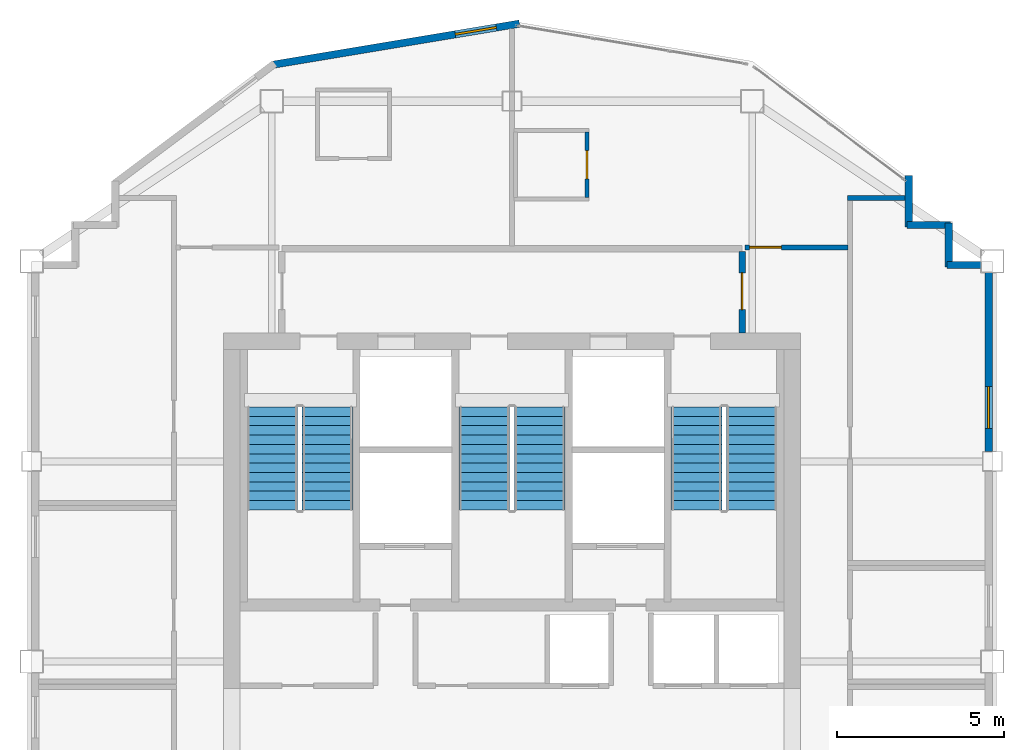
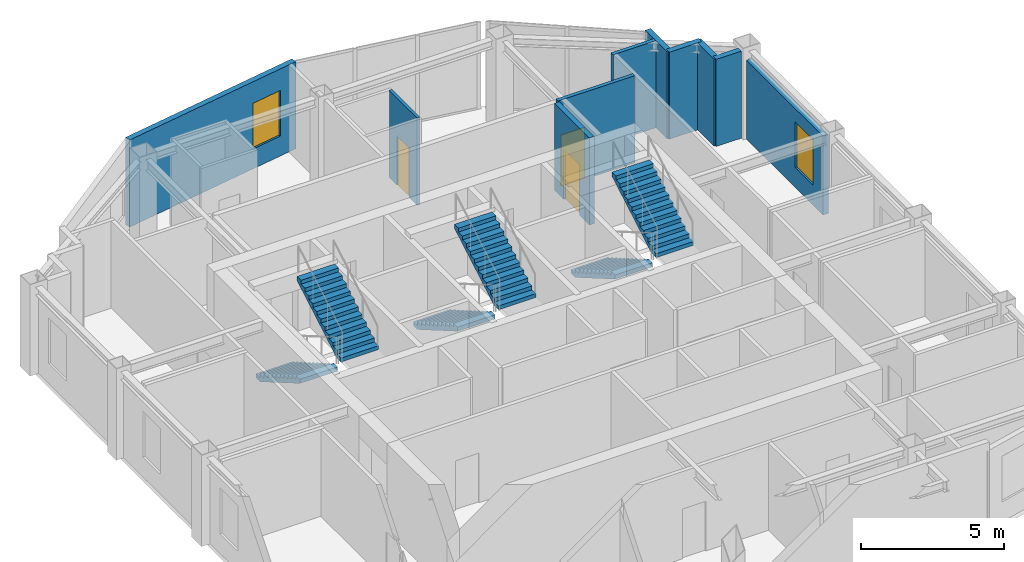
# One storey, part 7 of 8: 10 walls, 6 stair flights, 3 doors, 2 windows, 5 openings, 3 elements without a shape of their own.
"""IFC4 building model written with IfcOpenShell, lengths in metres."""

import ifcopenshell
import ifcopenshell.guid

model = None  # the IFC model being written
_history = None  # IfcOwnerHistory: only IFC2X3 demands one
_inside = {}  # id of a spatial element -> (the spatial element, [elements in it])
_under = {}  # id of a project, library or spatial element -> (it, [spatial elements below it])
_declared = {}  # id of a project -> (the project, [libraries it declares])
_typed = {}  # id of a type object -> (the type object, [elements of that type])
_made_of = {}  # id of a material, layer set ... -> (it, [elements and type objects made of it])


def new_model(schema):
    """Start an empty IFC model of exactly this schema.

    Asked for "IFC4X3", IfcOpenShell would pick the latest addendum, in which some entities
    have other attributes; the version numbers below select the first issue.
    IFC2X3 requires an IfcOwnerHistory on every rooted entity: one is made here for all.
    """
    global model, _history
    if schema == "IFC4X3":
        model = ifcopenshell.file(schema_version=(4, 3, 0, 0))
    else:
        model = ifcopenshell.file(schema=schema)
    _inside.clear()
    _under.clear()
    _declared.clear()
    _typed.clear()
    _made_of.clear()
    _history = None
    if model.schema == "IFC2X3":
        org = make("IfcOrganization", Name="unknown")
        user = make(
            "IfcPersonAndOrganization",
            ThePerson=make("IfcPerson", FamilyName="unknown"),
            TheOrganization=org,
        )
        app = make(
            "IfcApplication",
            ApplicationDeveloper=org,
            Version="unknown",
            ApplicationFullName="unknown",
            ApplicationIdentifier="unknown",
        )
        _history = make(
            "IfcOwnerHistory",
            OwningUser=user,
            OwningApplication=app,
            ChangeAction="ADDED",
            CreationDate=0,
        )
    return model


def make(cls, **values):
    """One entity of the class cls with the attributes given. An attribute that is None is left unset."""
    return model.create_entity(
        cls, **{name: value for name, value in values.items() if value is not None}
    )


def rooted(cls, **values):
    """An entity with a GlobalId (a new one), such as an element, a storey or a relation."""
    return make(cls, GlobalId=ifcopenshell.guid.new(), OwnerHistory=_history, **values)


def si_unit(unit_type, name, prefix=None):
    """IfcSIUnit, for example si_unit("LENGTHUNIT", "METRE", prefix="MILLI")."""
    return make("IfcSIUnit", UnitType=unit_type, Prefix=prefix, Name=name)


def assignment(units):
    """IfcUnitAssignment: the units of a project."""
    return None if units is None else make("IfcUnitAssignment", Units=units)


def point(xyz):
    """IfcCartesianPoint."""
    return None if xyz is None else make("IfcCartesianPoint", Coordinates=xyz)


def direction(xyz):
    """IfcDirection."""
    return None if xyz is None else make("IfcDirection", DirectionRatios=xyz)


def frame(location, z_axis=None, x_axis=None):
    """IfcAxis2Placement3D, a coordinate frame: its origin and axes. An axis left out is left unset."""
    return make(
        "IfcAxis2Placement3D",
        Location=point(location),
        Axis=direction(z_axis),
        RefDirection=direction(x_axis),
    )


def frame_2d(location, x_axis=None):
    """IfcAxis2Placement2D, a coordinate frame in the plane: its origin and x axis."""
    return make(
        "IfcAxis2Placement2D", Location=point(location), RefDirection=direction(x_axis)
    )


def origin():
    """The frame at (0, 0, 0) with its axes left unset."""
    return frame((0.0, 0.0, 0.0))


def place(relative_to, where):
    """IfcLocalPlacement: puts the frame where relative to a parent placement (None: the world)."""
    return make(
        "IfcLocalPlacement", PlacementRelTo=relative_to, RelativePlacement=where
    )


def context(
    kind, dimensions, precision=None, world=None, true_north=None, identifier=None
):
    """IfcGeometricRepresentationContext, for example the 3D "Model" context."""
    return make(
        "IfcGeometricRepresentationContext",
        ContextIdentifier=identifier,
        ContextType=kind,
        CoordinateSpaceDimension=dimensions,
        Precision=precision,
        WorldCoordinateSystem=world,
        TrueNorth=true_north,
    )


def subcontext(parent, identifier, kind, view, scale=None):
    """IfcGeometricRepresentationSubContext, for example "Body" below "Model"."""
    return make(
        "IfcGeometricRepresentationSubContext",
        ContextIdentifier=identifier,
        ContextType=kind,
        ParentContext=parent,
        TargetScale=scale,
        TargetView=view,
    )


def project(units=None, contexts=None):
    """IfcProject with its units and contexts."""
    return rooted(
        "IfcProject",
        Name="project",
        RepresentationContexts=contexts,
        UnitsInContext=assignment(units),
    )


def spatial(cls, under=None, at=None, **own):
    """A site, building, storey or space (cls), placed at a placement, below another one or the project."""
    s = rooted(cls, ObjectPlacement=at, **own)
    if under is not None:
        _under.setdefault(under.id(), (under, []))[1].append(s)
    return s


def polyline(points):
    """IfcPolyline through the points."""
    return make("IfcPolyline", Points=[point(p) for p in points])


def profile(cls, at=None, kind="AREA", **sizes):
    """A parametric profile (cls). Its sizes go by their IFC names, for example OverallWidth=200.0."""
    return make(cls, ProfileType=kind, Position=at, **sizes)


def rectangle(**sizes):
    """IfcRectangleProfileDef."""
    return profile("IfcRectangleProfileDef", **sizes)


def outline(outer, holes=None, kind="AREA"):
    """IfcArbitraryClosedProfileDef: a profile drawn as a closed curve; with holes, ...WithVoids."""
    if holes is None:
        return make("IfcArbitraryClosedProfileDef", ProfileType=kind, OuterCurve=outer)
    return make(
        "IfcArbitraryProfileDefWithVoids",
        ProfileType=kind,
        OuterCurve=outer,
        InnerCurves=holes,
    )


def extrude(swept, where, along, depth):
    """IfcExtrudedAreaSolid: the profile swept, set in the frame where, extruded along a direction by depth."""
    return make(
        "IfcExtrudedAreaSolid",
        SweptArea=swept,
        Position=where,
        ExtrudedDirection=direction(along),
        Depth=depth,
    )


def shape(context_of_items, identifier, shape_type, items):
    """IfcShapeRepresentation: the items that make up one representation, for example the "Body"."""
    return make(
        "IfcShapeRepresentation",
        ContextOfItems=context_of_items,
        RepresentationIdentifier=identifier,
        RepresentationType=shape_type,
        Items=items,
    )


def material(Name=None, Category=None):
    """IfcMaterial."""
    return make("IfcMaterial", Name=Name, Category=Category)


def layer(
    of_material, thickness, ventilated=None, Name=None, Category=None, Priority=None
):
    """IfcMaterialLayer: one layer of a wall or slab, of a material (None: an air gap)."""
    return make(
        "IfcMaterialLayer",
        Material=of_material,
        LayerThickness=thickness,
        IsVentilated=ventilated,
        Name=Name,
        Category=Category,
        Priority=Priority,
    )


def layer_set(layers, Name=None):
    """IfcMaterialLayerSet."""
    return make("IfcMaterialLayerSet", MaterialLayers=layers, LayerSetName=Name)


def made_of(thing, what):
    """Note that an element or type object is made of a material, layer set ...; save() writes the relation."""
    if what is not None:
        _made_of.setdefault(what.id(), (what, []))[1].append(thing)
    return thing


def type_object(cls, material=None, **own):
    """A type object (cls), such as IfcWallType, which elements share."""
    return made_of(rooted(cls, **own), material)


def element(
    cls,
    number,
    at=None,
    inside=None,
    cuts=None,
    type_object=None,
    material=None,
    context=None,
    identifier="Body",
    shape_type=None,
    held_by="IfcProductDefinitionShape",
    body=None,
    shapes=None,
    **own,
):
    """One element of the class cls, such as IfcWall. Its Tag is "e" and its number.

    at: its placement. inside: the storey or other place that contains it. cuts: it is an
    opening in that element (IfcRelVoidsElement). A single representation is given by context,
    identifier, shape_type and body (its items); several are given by shapes. held_by: the class
    of the entity that holds the representations. save() writes the other relations.
    """
    e = rooted(cls, Tag="e%d" % number, ObjectPlacement=at, **own)
    if body is not None:
        shapes = [shape(context, identifier, shape_type, body)]
    if shapes is not None:
        e.Representation = make(held_by, Representations=shapes)
    if inside is not None:
        _inside.setdefault(inside.id(), (inside, []))[1].append(e)
    if cuts is not None:
        rooted(
            "IfcRelVoidsElement", RelatingBuildingElement=cuts, RelatedOpeningElement=e
        )
    if type_object is not None:
        _typed.setdefault(type_object.id(), (type_object, []))[1].append(e)
    return made_of(e, material)


def fill(opening, filler):
    """IfcRelFillsElement: the door or window that sits in an opening."""
    return rooted(
        "IfcRelFillsElement",
        RelatingOpeningElement=opening,
        RelatedBuildingElement=filler,
    )


def aggregate(whole, parts):
    """IfcRelAggregates: a whole, such as a stair, and the parts it consists of."""
    return rooted("IfcRelAggregates", RelatingObject=whole, RelatedObjects=parts)


def save(model, path):
    """Write the relations noted so far, then the file.

    IfcRelAggregates (storeys below a building ...), IfcRelContainedInSpatialStructure (elements
    in a storey), IfcRelDefinesByType, IfcRelAssociatesMaterial and IfcRelDeclares: one each for
    every whole, place, type object, material and project.
    """
    for whole, parts in _under.values():
        aggregate(whole, parts)
    for where, things in _inside.values():
        rooted(
            "IfcRelContainedInSpatialStructure",
            RelatedElements=things,
            RelatingStructure=where,
        )
    for kind, things in _typed.values():
        rooted("IfcRelDefinesByType", RelatedObjects=things, RelatingType=kind)
    for what, things in _made_of.values():
        rooted("IfcRelAssociatesMaterial", RelatedObjects=things, RelatingMaterial=what)
    for by, libraries in _declared.values():
        rooted("IfcRelDeclares", RelatingContext=by, RelatedDefinitions=libraries)
    model.write(path)


model = new_model("IFC4")

# Units and contexts
model_context = context("Model", 3, precision=1e-05, world=origin(), true_north=direction((0.0, 1.0)))
body_context = subcontext(model_context, "Body", "Model", "MODEL_VIEW")
ifc_project = project(units=[si_unit("LENGTHUNIT", "METRE"), si_unit("AREAUNIT", "SQUARE_METRE"), si_unit("VOLUMEUNIT", "CUBIC_METRE"), si_unit("PLANEANGLEUNIT", "RADIAN"), si_unit("MASSUNIT", "GRAM", prefix="KILO")], contexts=[model_context])

# Site, building, storey
site_placement = place(None, origin())
site = spatial("IfcSite", under=ifc_project, at=site_placement, CompositionType="ELEMENT")
building_placement = place(site_placement, origin())
building = spatial("IfcBuilding", under=site, at=building_placement, Name="Haolan Belvedere Tower", CompositionType="ELEMENT")
storey_placement = place(building_placement, frame((0.0, 0.0, 301.699951171875)))
storey = spatial("IfcBuildingStorey", under=building, at=storey_placement, Name="L76", CompositionType="ELEMENT", Elevation=301.699951171875)

# Wall, opening, window
ifc_material_1 = material(Name="Precast concrete C40/50", Category="concrete")
ifc_layer_1 = layer(ifc_material_1, 0.219970703125, Name="Precast concrete C40/50")
ifc_layer_set_1 = layer_set([ifc_layer_1], Name="Precast concrete C40/50")
wall_type_1 = type_object("IfcWallType", Name="WL-EXT-220", PredefinedType="SOLIDWALL", material=ifc_layer_set_1)
wall_1_placement = place(storey_placement, frame((52.68994140625, 39.89208984375, 0.0), z_axis=(0.0, 0.0, 1.0), x_axis=(0.0, 1.0, 0.0)))
wall_1 = element("IfcWall", 1, at=wall_1_placement, inside=storey, type_object=wall_type_1, Name="L76 pale-metal exterior spandrel wall 3.4", PredefinedType="SOLIDWALL", context=body_context, shape_type="SweptSolid", body=[
    extrude(rectangle(XDim=5.365966796875, YDim=0.219970703125, at=frame_2d((2.68310546875, 0.0))), origin(), (0.0, 0.0, 1.0), 3.364990234375),
])
opening_1_placement = place(wall_1_placement, frame((0.699951171875, 0.0, 0.85009765625)))
opening_1 = element("IfcOpeningElement", 2, at=opening_1_placement, cuts=wall_1, Name="Opening W-04", PredefinedType="OPENING", context=body_context, shape_type="SweptSolid", body=[
    extrude(rectangle(XDim=1.25, YDim=1.949951171875, at=frame_2d((0.625, 0.97509765625))), frame((0.0, 0.119873046875, 0.0), z_axis=(0.0, -1.0, 0.0), x_axis=(1.0, 0.0, 0.0)), (0.0, 0.0, 1.0), 0.239990234375),
])
ifc_material_2 = material(Name="Anodised aluminium 6063-T6 and Low-E glass", Category="aluminium")
window_type = type_object("IfcWindowType", Name="WN-DECO-Z4", PartitioningType="SINGLE_PANEL", PredefinedType="WINDOW", material=ifc_material_2)
window_1_placement = place(opening_1_placement, origin())
window_1 = element("IfcWindow", 3, at=window_1_placement, inside=storey, type_object=window_type, Name="L76 Art Deco chevron window 1", OverallHeight=1.949951171875, OverallWidth=1.25, PartitioningType="SINGLE_PANEL", PredefinedType="WINDOW", context=body_context, shape_type="SweptSolid", body=[
    extrude(rectangle(XDim=1.25, YDim=1.949951171875, at=frame_2d((0.625, 0.97509765625))), frame((0.0, 0.030029296875, 0.0), z_axis=(0.0, -1.0, 0.0), x_axis=(1.0, 0.0, 0.0)), (0.0, 0.0, 1.0), 0.06005859375),
])
fill(opening_1, window_1)

# Walls
wall_2_placement = place(storey_placement, frame((52.4580078125, 45.489990234375, 0.0), z_axis=(0.0, 0.0, 1.0), x_axis=(-1.0, 0.0, 0.0)))
element("IfcWall", 4, at=wall_2_placement, inside=storey, type_object=wall_type_1, Name="L76 pale-metal exterior spandrel wall 4.1", PredefinedType="SOLIDWALL", context=body_context, shape_type="SweptSolid", body=[
    extrude(rectangle(XDim=1.02294921875, YDim=0.219970703125, at=frame_2d((0.511474609375, 0.0))), origin(), (0.0, 0.0, 1.0), 3.719970703125),
])
wall_3_placement = place(storey_placement, frame((51.489990234375, 45.43505859375, 0.0), z_axis=(0.0, 0.0, 1.0), x_axis=(0.0, 1.0, 0.0)))
element("IfcWall", 5, at=wall_3_placement, inside=storey, type_object=wall_type_1, Name="L76 pale-metal exterior spandrel wall 5.1", PredefinedType="SOLIDWALL", context=body_context, shape_type="SweptSolid", body=[
    extrude(rectangle(XDim=1.31005859375, YDim=0.219970703125, at=frame_2d((0.655029296875, 0.0))), origin(), (0.0, 0.0, 1.0), 3.719970703125),
])
wall_4_placement = place(storey_placement, frame((51.544921875, 46.68994140625, 0.0), z_axis=(0.0, 0.0, 1.0), x_axis=(-1.0, 0.0, 0.0)))
element("IfcWall", 6, at=wall_4_placement, inside=storey, type_object=wall_type_1, Name="L76 pale-metal exterior spandrel wall 6.1", PredefinedType="SOLIDWALL", context=body_context, shape_type="SweptSolid", body=[
    extrude(rectangle(XDim=1.309814453125, YDim=0.219970703125, at=frame_2d((0.65478515625, 0.0))), origin(), (0.0, 0.0, 1.0), 3.719970703125),
])
wall_5_placement = place(storey_placement, frame((50.2900390625, 46.635009765625, 0.0), z_axis=(0.0, 0.0, 1.0), x_axis=(0.0, 1.0, 0.0)))
element("IfcWall", 7, at=wall_5_placement, inside=storey, type_object=wall_type_1, Name="L76 pale-metal exterior spandrel wall 7.1", PredefinedType="SOLIDWALL", context=body_context, shape_type="SweptSolid", body=[
    extrude(rectangle(XDim=1.534912109375, YDim=0.219970703125, at=frame_2d((0.767578125, 0.0))), origin(), (0.0, 0.0, 1.0), 3.719970703125),
])

# Wall, opening, window
wall_6_placement = place(storey_placement, frame((38.621826171875, 52.7255859375, 0.0), z_axis=(0.0, 0.0, 1.0), x_axis=(-0.986390420428, -0.164420006349, 0.0)))
wall_6 = element("IfcWall", 8, at=wall_6_placement, inside=storey, type_object=wall_type_1, Name="L76 pale-metal exterior spandrel wall 10.1", PredefinedType="SOLIDWALL", context=body_context, shape_type="SweptSolid", body=[
    extrude(rectangle(XDim=7.5341796875, YDim=0.219970703125, at=frame_2d((3.76708984375, 0.0))), origin(), (0.0, 0.0, 1.0), 3.719970703125),
])
opening_2_placement = place(wall_6_placement, frame((0.699951171875, 0.0, 0.85009765625)))
opening_2 = element("IfcOpeningElement", 9, at=opening_2_placement, cuts=wall_6, Name="Opening W-04", PredefinedType="OPENING", context=body_context, shape_type="SweptSolid", body=[
    extrude(rectangle(XDim=1.25, YDim=1.949951171875, at=frame_2d((0.625, 0.97509765625))), frame((0.0, 0.119873046875, 0.0), z_axis=(0.0, -1.0, 0.0), x_axis=(1.0, 0.0, 0.0)), (0.0, 0.0, 1.0), 0.239990234375),
])
window_2_placement = place(opening_2_placement, origin())
window_2 = element("IfcWindow", 10, at=window_2_placement, inside=storey, type_object=window_type, Name="L76 Art Deco chevron window 1", OverallHeight=1.949951171875, OverallWidth=1.25, PartitioningType="SINGLE_PANEL", PredefinedType="WINDOW", context=body_context, shape_type="SweptSolid", body=[
    extrude(rectangle(XDim=1.25, YDim=1.949951171875, at=frame_2d((0.625, 0.97509765625))), frame((0.0, 0.030029296875, 0.0), z_axis=(0.0, -1.0, 0.0), x_axis=(1.0, 0.0, 0.0)), (0.0, 0.0, 1.0), 0.06005859375),
])
fill(opening_2, window_2)

# Wall, opening, door
ifc_material_3 = material(Name="Concrete C40/50", Category="concrete")
ifc_layer_2 = layer(ifc_material_3, 0.199951171875, Name="Concrete C40/50")
ifc_layer_set_2 = layer_set([ifc_layer_2], Name="Concrete C40/50")
wall_type_2 = type_object("IfcWallType", Name="WL-FIRE-200", PredefinedType="SOLIDWALL", material=ifc_layer_set_2)
wall_7_placement = place(storey_placement, frame((45.300048828125, 43.449951171875, 0.0), z_axis=(0.0, 0.0, 1.0), x_axis=(0.0, 1.0, 0.0)))
wall_7 = element("IfcWall", 11, at=wall_7_placement, inside=storey, type_object=wall_type_2, Name="L76 interior partition IW-L76-FFL-E", PredefinedType="SOLIDWALL", context=body_context, shape_type="SweptSolid", body=[
    extrude(rectangle(XDim=2.445068359375, YDim=0.199951171875, at=frame_2d((1.22265625, 0.0))), origin(), (0.0, 0.0, 1.0), 3.719970703125),
])
opening_3_placement = place(wall_7_placement, frame((0.699951171875, 0.0, 0.0)))
opening_3 = element("IfcOpeningElement", 12, at=opening_3_placement, cuts=wall_7, Name="Opening FD-03", PredefinedType="OPENING", context=body_context, shape_type="SweptSolid", body=[
    extrude(rectangle(XDim=1.10009765625, YDim=2.14990234375, at=frame_2d((0.550048828125, 1.074951171875))), frame((0.0, 0.10986328125, 0.0), z_axis=(0.0, -1.0, 0.0), x_axis=(1.0, 0.0, 0.0)), (0.0, 0.0, 1.0), 0.219970703125),
])
ifc_material_4 = material(Name="Galvanised fire-rated steel", Category="steel")
door_type_1 = type_object("IfcDoorType", Name="DR-FD90-1100", OperationType="NOTDEFINED", PredefinedType="DOOR", material=ifc_material_4)
door_1_placement = place(opening_3_placement, origin())
door_1 = element("IfcDoor", 13, at=door_1_placement, inside=storey, type_object=door_type_1, Name="L76 door ID-L76-FFL-DE", OperationType="SINGLE_SWING_RIGHT", OverallHeight=2.14990234375, OverallWidth=1.10009765625, PredefinedType="DOOR", context=body_context, shape_type="SweptSolid", body=[
    extrude(rectangle(XDim=1.10009765625, YDim=2.14990234375, at=frame_2d((0.550048828125, 1.074951171875))), frame((0.0, 0.02490234375, 0.0), z_axis=(0.0, -1.0, 0.0), x_axis=(1.0, 0.0, 0.0)), (0.0, 0.0, 1.0), 0.050048828125),
])
fill(opening_3, door_1)

# Wall
ifc_material_5 = material(Name="Double gypsum acoustic stud partition", Category="masonry")
ifc_layer_3 = layer(ifc_material_5, 0.14990234375, Name="Double gypsum acoustic stud partition")
ifc_layer_set_3 = layer_set([ifc_layer_3], Name="Double gypsum acoustic stud partition")
wall_type_3 = type_object("IfcWallType", Name="WL-PART-150", PredefinedType="PARTITIONING", material=ifc_layer_set_3)
wall_8_placement = place(storey_placement, frame((48.4599609375, 47.5, 0.0), z_axis=(0.0, 0.0, 1.0), x_axis=(1.0, 0.0, 0.0)))
element("IfcWall", 14, at=wall_8_placement, inside=storey, type_object=wall_type_3, Name="L76 interior partition IW-L76-SAL-N", PredefinedType="PARTITIONING", context=body_context, shape_type="SweptSolid", body=[
    extrude(rectangle(XDim=1.72802734375, YDim=0.14990234375, at=frame_2d((0.864013671875, 0.0))), origin(), (0.0, 0.0, 1.0), 3.719970703125),
])

# Wall, opening, door
wall_9_placement = place(storey_placement, frame((45.385009765625, 46.02001953125, 0.0), z_axis=(0.0, 0.0, 1.0), x_axis=(1.0, 0.0, 0.0)))
wall_9 = element("IfcWall", 15, at=wall_9_placement, inside=storey, type_object=wall_type_3, Name="L76 interior partition IW-L76-KN2-S", PredefinedType="PARTITIONING", context=body_context, shape_type="SweptSolid", body=[
    extrude(rectangle(XDim=3.094970703125, YDim=0.14990234375, at=frame_2d((1.54736328125, 0.0))), origin(), (0.0, 0.0, 1.0), 3.719970703125),
])
opening_4_placement = place(wall_9_placement, frame((0.139892578125, 0.0, 0.0)))
opening_4 = element("IfcOpeningElement", 16, at=opening_4_placement, cuts=wall_9, Name="Opening ID-01", PredefinedType="OPENING", context=body_context, shape_type="SweptSolid", body=[
    extrude(rectangle(XDim=0.949951171875, YDim=2.179931640625, at=frame_2d((0.47509765625, 1.08984375))), frame((0.0, 0.0849609375, 0.0), z_axis=(0.0, -1.0, 0.0), x_axis=(1.0, 0.0, 0.0)), (0.0, 0.0, 1.0), 0.169921875),
])
ifc_material_6 = material(Name="Acoustic walnut veneer fire-rated timber", Category="wood")
door_type_2 = type_object("IfcDoorType", Name="DR-SUITE-950", OperationType="NOTDEFINED", PredefinedType="DOOR", material=ifc_material_6)
door_2_placement = place(opening_4_placement, origin())
door_2 = element("IfcDoor", 17, at=door_2_placement, inside=storey, type_object=door_type_2, Name="L76 door ID-L76-KN2-ENT", OperationType="SINGLE_SWING_RIGHT", OverallHeight=2.179931640625, OverallWidth=0.949951171875, PredefinedType="DOOR", context=body_context, shape_type="SweptSolid", body=[
    extrude(rectangle(XDim=0.949951171875, YDim=2.179931640625, at=frame_2d((0.47509765625, 1.08984375))), frame((0.0, 0.02490234375, 0.0), z_axis=(0.0, -1.0, 0.0), x_axis=(1.0, 0.0, 0.0)), (0.0, 0.0, 1.0), 0.050048828125),
])
fill(opening_4, door_2)

ifc_material_7 = material(Name="Moisture-resistant gypsum tile partition", Category="masonry")
ifc_layer_4 = layer(ifc_material_7, 0.1201171875, Name="Moisture-resistant gypsum tile partition")
ifc_layer_set_4 = layer_set([ifc_layer_4], Name="Moisture-resistant gypsum tile partition")
wall_type_4 = type_object("IfcWallType", Name="WL-WET-120", PredefinedType="PARTITIONING", material=ifc_layer_set_4)
wall_10_placement = place(storey_placement, frame((40.64990234375, 47.514892578125, 0.0), z_axis=(0.0, 0.0, 1.0), x_axis=(0.0, 1.0, 0.0)))
wall_10 = element("IfcWall", 18, at=wall_10_placement, inside=storey, type_object=wall_type_4, Name="L76 interior partition IW-L76-KN2-BE", PredefinedType="PARTITIONING", context=body_context, shape_type="SweptSolid", body=[
    extrude(rectangle(XDim=1.960205078125, YDim=0.1201171875, at=frame_2d((0.97998046875, 0.0))), origin(), (0.0, 0.0, 1.0), 3.719970703125),
])
opening_5_placement = place(wall_10_placement, frame((0.554931640625, 0.0, 0.0)))
opening_5 = element("IfcOpeningElement", 19, at=opening_5_placement, cuts=wall_10, Name="Opening ID-05", PredefinedType="OPENING", context=body_context, shape_type="SweptSolid", body=[
    extrude(rectangle(XDim=0.85009765625, YDim=2.10009765625, at=frame_2d((0.425048828125, 1.050048828125))), frame((0.0, 0.070068359375, 0.0), z_axis=(0.0, -1.0, 0.0), x_axis=(1.0, 0.0, 0.0)), (0.0, 0.0, 1.0), 0.14013671875),
])
ifc_material_8 = material(Name="Moisture-resistant lacquered timber", Category="wood")
door_type_3 = type_object("IfcDoorType", Name="DR-BATH-850", OperationType="NOTDEFINED", PredefinedType="DOOR", material=ifc_material_8)
door_3_placement = place(opening_5_placement, origin())
door_3 = element("IfcDoor", 20, at=door_3_placement, inside=storey, type_object=door_type_3, Name="L76 door ID-L76-KN2-BATH", OperationType="SINGLE_SWING_LEFT", OverallHeight=2.10009765625, OverallWidth=0.85009765625, PredefinedType="DOOR", context=body_context, shape_type="SweptSolid", body=[
    extrude(rectangle(XDim=0.85009765625, YDim=2.10009765625, at=frame_2d((0.425048828125, 1.050048828125))), frame((0.0, 0.02490234375, 0.0), z_axis=(0.0, -1.0, 0.0), x_axis=(1.0, 0.0, 0.0)), (0.0, 0.0, 1.0), 0.050048828125),
])
fill(opening_5, door_3)

# Stair, stair flights
stair_type = type_object("IfcStairType", Name="STR-DL-24R-163", PredefinedType="HALF_TURN_STAIR", material=ifc_material_3)
stair_1_placement = place(storey_placement, origin())
stair_1 = element("IfcStair", 21, at=stair_1_placement, inside=storey, type_object=stair_type, Name="L76 Smokeproof Core Exit Stair ST1", PredefinedType="HALF_TURN_STAIR")
stair_flight_type = type_object("IfcStairFlightType", Name="SFL-DL-12R-163", PredefinedType="STRAIGHT", material=ifc_material_3)
stair_flight_1_placement = place(storey_placement, frame((31.2099609375, 41.22998046875, 0.0), z_axis=(0.0, 0.0, 1.0), x_axis=(0.0, -1.0, 0.0)))
stair_flight_1 = element("IfcStairFlight", 22, at=stair_flight_1_placement, type_object=stair_flight_type, Name="ST1 flight 1", NumberOfRisers=12, NumberOfTreads=11, PredefinedType="STRAIGHT", RiserHeight=0.1625, TreadLength=0.28, context=body_context, shape_type="SweptSolid", body=[
    extrude(outline(polyline([(0.0, 0.0), (0.0, 0.16259765625), (0.280029296875, 0.16259765625), (0.280029296875, 0.324951171875), (0.56005859375, 0.324951171875), (0.56005859375, 0.487548828125), (0.840087890625, 0.487548828125), (0.840087890625, 0.64990234375), (1.1201171875, 0.64990234375), (1.1201171875, 0.8125), (1.39990234375, 0.8125), (1.39990234375, 0.97509765625), (1.679931640625, 0.97509765625), (1.679931640625, 1.137451171875), (1.9599609375, 1.137451171875), (1.9599609375, 1.300048828125), (2.239990234375, 1.300048828125), (2.239990234375, 1.46240234375), (2.52001953125, 1.46240234375), (2.52001953125, 1.625), (2.800048828125, 1.625), (2.800048828125, 1.78759765625), (3.080078125, 1.78759765625), (3.080078125, 1.949951171875), (3.080078125, 1.6142578125), (0.298583984375, 0.0), (0.0, 0.0)])), frame((0.0, 0.760009765625, 0.0), z_axis=(0.0, -1.0, 0.0), x_axis=(1.0, 0.0, 0.0)), (0.0, 0.0, 1.0), 1.52001953125),
])
stair_flight_2_placement = place(storey_placement, frame((32.8701171875, 38.14990234375, 1.949951171875), z_axis=(0.0, 0.0, 1.0), x_axis=(0.0, 1.0, 0.0)))
stair_flight_2 = element("IfcStairFlight", 23, at=stair_flight_2_placement, type_object=stair_flight_type, Name="ST1 flight 2", NumberOfRisers=12, NumberOfTreads=11, PredefinedType="STRAIGHT", RiserHeight=0.1625, TreadLength=0.28, context=body_context, shape_type="SweptSolid", body=[
    extrude(outline(polyline([(0.0, 0.0), (0.0, 0.16259765625), (0.280029296875, 0.16259765625), (0.280029296875, 0.324951171875), (0.56005859375, 0.324951171875), (0.56005859375, 0.487548828125), (0.840087890625, 0.487548828125), (0.840087890625, 0.64990234375), (1.1201171875, 0.64990234375), (1.1201171875, 0.8125), (1.39990234375, 0.8125), (1.39990234375, 0.97509765625), (1.679931640625, 0.97509765625), (1.679931640625, 1.137451171875), (1.9599609375, 1.137451171875), (1.9599609375, 1.300048828125), (2.239990234375, 1.300048828125), (2.239990234375, 1.46240234375), (2.52001953125, 1.46240234375), (2.52001953125, 1.625), (2.800048828125, 1.625), (2.800048828125, 1.78759765625), (3.080078125, 1.78759765625), (3.080078125, 1.949951171875), (3.080078125, 1.6142578125), (0.298583984375, 0.0), (0.0, 0.0)])), frame((0.0, 0.760009765625, 0.0), z_axis=(0.0, -1.0, 0.0), x_axis=(1.0, 0.0, 0.0)), (0.0, 0.0, 1.0), 1.52001953125),
])
aggregate(stair_1, [stair_flight_1, stair_flight_2])

stair_2_placement = place(storey_placement, origin())
stair_2 = element("IfcStair", 24, at=stair_2_placement, inside=storey, type_object=stair_type, Name="L76 Smokeproof Core Exit Stair ST3", PredefinedType="HALF_TURN_STAIR")
stair_flight_3_placement = place(storey_placement, frame((37.570068359375, 41.22998046875, 0.0), z_axis=(0.0, 0.0, 1.0), x_axis=(0.0, -1.0, 0.0)))
stair_flight_3 = element("IfcStairFlight", 25, at=stair_flight_3_placement, type_object=stair_flight_type, Name="ST3 flight 1", NumberOfRisers=12, NumberOfTreads=11, PredefinedType="STRAIGHT", RiserHeight=0.1625, TreadLength=0.28, context=body_context, shape_type="SweptSolid", body=[
    extrude(outline(polyline([(0.0, 0.0), (0.0, 0.16259765625), (0.280029296875, 0.16259765625), (0.280029296875, 0.324951171875), (0.56005859375, 0.324951171875), (0.56005859375, 0.487548828125), (0.840087890625, 0.487548828125), (0.840087890625, 0.64990234375), (1.1201171875, 0.64990234375), (1.1201171875, 0.8125), (1.39990234375, 0.8125), (1.39990234375, 0.97509765625), (1.679931640625, 0.97509765625), (1.679931640625, 1.137451171875), (1.9599609375, 1.137451171875), (1.9599609375, 1.300048828125), (2.239990234375, 1.300048828125), (2.239990234375, 1.46240234375), (2.52001953125, 1.46240234375), (2.52001953125, 1.625), (2.800048828125, 1.625), (2.800048828125, 1.78759765625), (3.080078125, 1.78759765625), (3.080078125, 1.949951171875), (3.080078125, 1.6142578125), (0.298583984375, 0.0), (0.0, 0.0)])), frame((0.0, 0.760009765625, 0.0), z_axis=(0.0, -1.0, 0.0), x_axis=(1.0, 0.0, 0.0)), (0.0, 0.0, 1.0), 1.52001953125),
])
stair_flight_4_placement = place(storey_placement, frame((39.22998046875, 38.14990234375, 1.949951171875), z_axis=(0.0, 0.0, 1.0), x_axis=(0.0, 1.0, 0.0)))
stair_flight_4 = element("IfcStairFlight", 26, at=stair_flight_4_placement, type_object=stair_flight_type, Name="ST3 flight 2", NumberOfRisers=12, NumberOfTreads=11, PredefinedType="STRAIGHT", RiserHeight=0.1625, TreadLength=0.28, context=body_context, shape_type="SweptSolid", body=[
    extrude(outline(polyline([(0.0, 0.0), (0.0, 0.16259765625), (0.280029296875, 0.16259765625), (0.280029296875, 0.324951171875), (0.56005859375, 0.324951171875), (0.56005859375, 0.487548828125), (0.840087890625, 0.487548828125), (0.840087890625, 0.64990234375), (1.1201171875, 0.64990234375), (1.1201171875, 0.8125), (1.39990234375, 0.8125), (1.39990234375, 0.97509765625), (1.679931640625, 0.97509765625), (1.679931640625, 1.137451171875), (1.9599609375, 1.137451171875), (1.9599609375, 1.300048828125), (2.239990234375, 1.300048828125), (2.239990234375, 1.46240234375), (2.52001953125, 1.46240234375), (2.52001953125, 1.625), (2.800048828125, 1.625), (2.800048828125, 1.78759765625), (3.080078125, 1.78759765625), (3.080078125, 1.949951171875), (3.080078125, 1.6142578125), (0.298583984375, 0.0), (0.0, 0.0)])), frame((0.0, 0.760009765625, 0.0), z_axis=(0.0, -1.0, 0.0), x_axis=(1.0, 0.0, 0.0)), (0.0, 0.0, 1.0), 1.52001953125),
])
aggregate(stair_2, [stair_flight_3, stair_flight_4])

stair_3_placement = place(storey_placement, origin())
stair_3 = element("IfcStair", 27, at=stair_3_placement, inside=storey, type_object=stair_type, Name="L76 Smokeproof Core Exit Stair ST2", PredefinedType="HALF_TURN_STAIR")
stair_flight_5_placement = place(storey_placement, frame((43.929931640625, 41.22998046875, 0.0), z_axis=(0.0, 0.0, 1.0), x_axis=(0.0, -1.0, 0.0)))
stair_flight_5 = element("IfcStairFlight", 28, at=stair_flight_5_placement, type_object=stair_flight_type, Name="ST2 flight 1", NumberOfRisers=12, NumberOfTreads=11, PredefinedType="STRAIGHT", RiserHeight=0.1625, TreadLength=0.28, context=body_context, shape_type="SweptSolid", body=[
    extrude(outline(polyline([(0.0, 0.0), (0.0, 0.16259765625), (0.280029296875, 0.16259765625), (0.280029296875, 0.324951171875), (0.56005859375, 0.324951171875), (0.56005859375, 0.487548828125), (0.840087890625, 0.487548828125), (0.840087890625, 0.64990234375), (1.1201171875, 0.64990234375), (1.1201171875, 0.8125), (1.39990234375, 0.8125), (1.39990234375, 0.97509765625), (1.679931640625, 0.97509765625), (1.679931640625, 1.137451171875), (1.9599609375, 1.137451171875), (1.9599609375, 1.300048828125), (2.239990234375, 1.300048828125), (2.239990234375, 1.46240234375), (2.52001953125, 1.46240234375), (2.52001953125, 1.625), (2.800048828125, 1.625), (2.800048828125, 1.78759765625), (3.080078125, 1.78759765625), (3.080078125, 1.949951171875), (3.080078125, 1.6142578125), (0.298583984375, 0.0), (0.0, 0.0)])), frame((0.0, 0.760009765625, 0.0), z_axis=(0.0, -1.0, 0.0), x_axis=(1.0, 0.0, 0.0)), (0.0, 0.0, 1.0), 1.52001953125),
])
stair_flight_6_placement = place(storey_placement, frame((45.590087890625, 38.14990234375, 1.949951171875), z_axis=(0.0, 0.0, 1.0), x_axis=(0.0, 1.0, 0.0)))
stair_flight_6 = element("IfcStairFlight", 29, at=stair_flight_6_placement, type_object=stair_flight_type, Name="ST2 flight 2", NumberOfRisers=12, NumberOfTreads=11, PredefinedType="STRAIGHT", RiserHeight=0.1625, TreadLength=0.28, context=body_context, shape_type="SweptSolid", body=[
    extrude(outline(polyline([(0.0, 0.0), (0.0, 0.16259765625), (0.280029296875, 0.16259765625), (0.280029296875, 0.324951171875), (0.56005859375, 0.324951171875), (0.56005859375, 0.487548828125), (0.840087890625, 0.487548828125), (0.840087890625, 0.64990234375), (1.1201171875, 0.64990234375), (1.1201171875, 0.8125), (1.39990234375, 0.8125), (1.39990234375, 0.97509765625), (1.679931640625, 0.97509765625), (1.679931640625, 1.137451171875), (1.9599609375, 1.137451171875), (1.9599609375, 1.300048828125), (2.239990234375, 1.300048828125), (2.239990234375, 1.46240234375), (2.52001953125, 1.46240234375), (2.52001953125, 1.625), (2.800048828125, 1.625), (2.800048828125, 1.78759765625), (3.080078125, 1.78759765625), (3.080078125, 1.949951171875), (3.080078125, 1.6142578125), (0.298583984375, 0.0), (0.0, 0.0)])), frame((0.0, 0.760009765625, 0.0), z_axis=(0.0, -1.0, 0.0), x_axis=(1.0, 0.0, 0.0)), (0.0, 0.0, 1.0), 1.52001953125),
])
aggregate(stair_3, [stair_flight_5, stair_flight_6])

save(model, "model.ifc")
